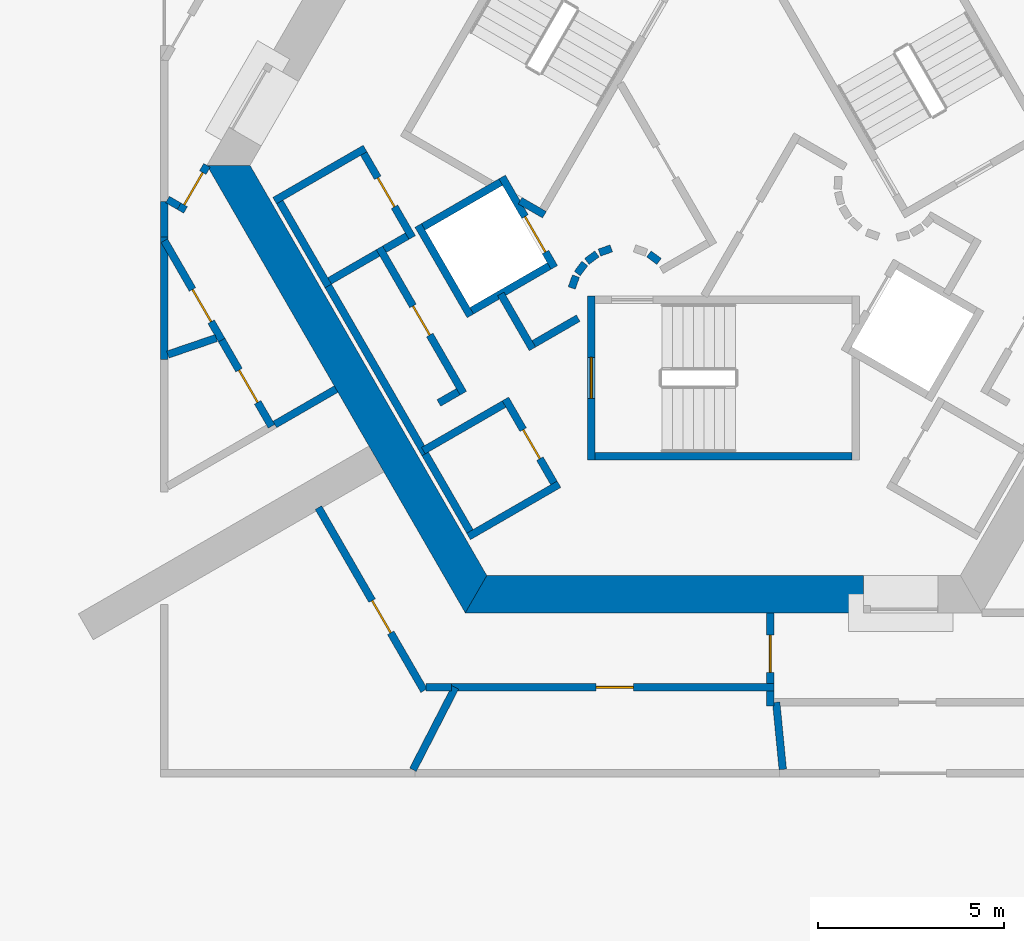
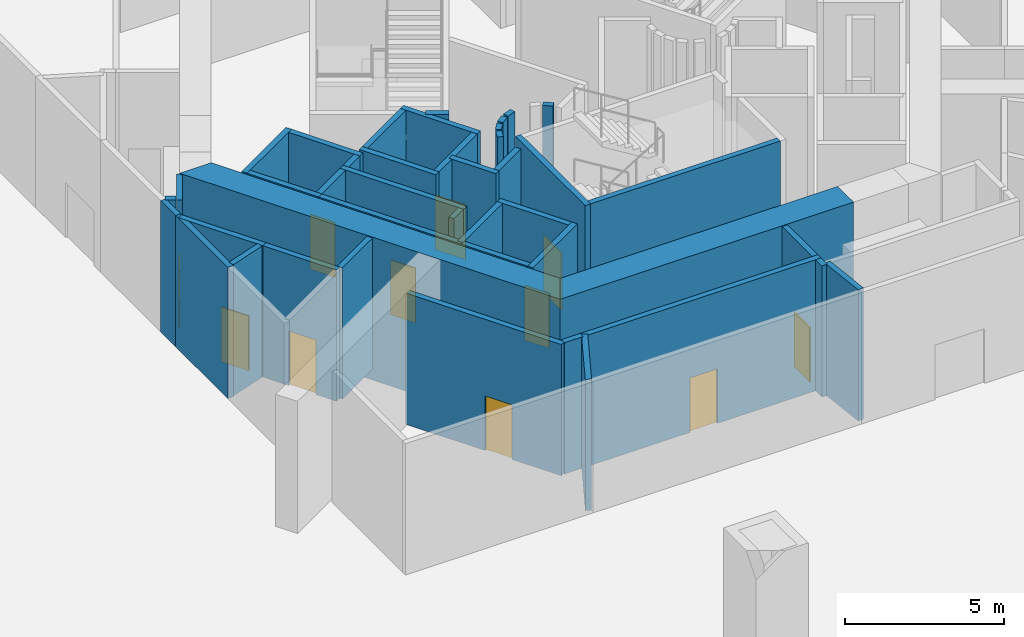
# One storey, part 3 of 12: 43 walls, 11 doors, 11 openings.
"""IFC4 building model written with IfcOpenShell, lengths in metres."""

from ifc_helpers import new_model, si_unit, direction, frame, frame_2d, origin, place, context, subcontext, project, spatial, polyline, rectangle, outline, extrude, material, layer, layer_set, type_object, element, fill, save


model = new_model("IFC4")

# Units and contexts
model_context = context("Model", 3, precision=1e-05, world=origin(), true_north=direction((0.0, 1.0)))
body_context = subcontext(model_context, "Body", "Model", "MODEL_VIEW")
ifc_project = project(units=[si_unit("LENGTHUNIT", "METRE"), si_unit("AREAUNIT", "SQUARE_METRE"), si_unit("VOLUMEUNIT", "CUBIC_METRE"), si_unit("PLANEANGLEUNIT", "RADIAN"), si_unit("MASSUNIT", "GRAM", prefix="KILO")], contexts=[model_context])

# Site, building, storey
site_placement = place(None, origin())
site = spatial("IfcSite", under=ifc_project, at=site_placement, CompositionType="ELEMENT")
building_placement = place(site_placement, origin())
building = spatial("IfcBuilding", under=site, at=building_placement, Name="Entoto Arch Interchange Tower", CompositionType="ELEMENT")
storey_placement = place(building_placement, frame((0.0, 0.0, -11.0)))
storey = spatial("IfcBuildingStorey", under=building, at=storey_placement, Name="B2", CompositionType="ELEMENT", Elevation=-11.0)

# Walls
ifc_material_1 = material(Name="Concrete C60/75", Category="concrete")
ifc_layer_1 = layer(ifc_material_1, 1.0)
ifc_layer_set_1 = layer_set([ifc_layer_1], Name="Concrete C60/75")
wall_type_1 = type_object("IfcWallType", Name="Core wall 1000 C60/75", PredefinedType="SHEAR", material=ifc_layer_set_1)
wall_1_placement = place(storey_placement, frame((0.0, 0.0, -0.419921875)))
element("IfcWall", 1, at=wall_1_placement, inside=storey, type_object=wall_type_1, Name="Core wall SW B2", PredefinedType="SHEAR", context=body_context, shape_type="SweptSolid", body=[
    extrude(outline(polyline([(-13.85595703125, 2.5), (-6.927978515625, -9.5), (-6.35107421875, -8.5), (-12.701904296875, 2.5), (-13.85595703125, 2.5)])), origin(), (0.0, 0.0, 1.0), 5.5),
])
wall_2_placement = place(storey_placement, frame((0.0, 0.0, -0.419921875)))
element("IfcWall", 2, at=wall_2_placement, inside=storey, type_object=wall_type_1, Name="Core wall S B2", PredefinedType="SHEAR", context=body_context, shape_type="SweptSolid", body=[
    extrude(outline(polyline([(3.75, -9.5), (3.75, -8.5), (-6.35107421875, -8.5), (-6.927978515625, -9.5), (3.75, -9.5)])), origin(), (0.0, 0.0, 1.0), 5.5),
])

# Wall, opening, door
ifc_material_2 = material(Name="Concrete C40/50", Category="concrete")
ifc_layer_2 = layer(ifc_material_2, 0.199951171875)
ifc_layer_set_2 = layer_set([ifc_layer_2], Name="Concrete C40/50")
wall_type_2 = type_object("IfcWallType", Name="LIFT SHAFT WALL 200", PredefinedType="STANDARD", material=ifc_layer_set_2)
wall_3_placement = place(storey_placement, frame((-5.93994140625, 2.18798828125, 0.0), z_axis=(0.0, 0.0, 1.0), x_axis=(0.49994636267, -0.866056369097, 0.0)))
wall_3 = element("IfcWall", 3, at=wall_3_placement, inside=storey, type_object=wall_type_2, Name="Shaft wall SW1 front", PredefinedType="STANDARD", context=body_context, shape_type="SweptSolid", body=[
    extrude(rectangle(XDim=2.800048828125, YDim=0.199951171875, at=frame_2d((1.39990234375, 0.0))), origin(), (0.0, 0.0, 1.0), 5.050048828125),
])
opening_1_placement = place(wall_3_placement, frame((1.22509765625, 0.0, 0.0)))
opening_1 = element("IfcOpeningElement", 4, at=opening_1_placement, cuts=wall_3, Name="Opening LD-FF2-B2", PredefinedType="OPENING", context=body_context, shape_type="SweptSolid", body=[
    extrude(rectangle(XDim=1.10009765625, YDim=2.10009765625, at=frame_2d((0.550048828125, 1.050048828125))), frame((0.0, 0.10986328125, 0.0), z_axis=(0.0, -1.0, 0.0), x_axis=(1.0, 0.0, 0.0)), (0.0, 0.0, 1.0), 0.219970703125),
])
ifc_material_3 = material(Name="Stainless steel 1.4301 panels", Category="steel")
door_type_1 = type_object("IfcDoorType", Name="LIFT LANDING DOOR LD1 1100x2100", OperationType="SLIDING_TO_LEFT", PredefinedType="DOOR", material=ifc_material_3)
door_1_placement = place(opening_1_placement, origin())
door_1 = element("IfcDoor", 5, at=door_1_placement, inside=storey, type_object=door_type_1, Name="Lift landing door FF2 B2", OperationType="SLIDING_TO_LEFT", OverallHeight=2.10009765625, OverallWidth=1.10009765625, PredefinedType="DOOR", context=body_context, shape_type="SweptSolid", body=[
    extrude(rectangle(XDim=1.10009765625, YDim=2.10009765625, at=frame_2d((0.550048828125, 1.050048828125))), frame((0.0, 0.02490234375, 0.0), z_axis=(0.0, -1.0, 0.0), x_axis=(1.0, 0.0, 0.0)), (0.0, 0.0, 1.0), 0.050048828125),
])
fill(opening_1, door_1)

# Walls
wall_4_placement = place(storey_placement, frame((-8.19189453125, 0.887939453125, 0.0), z_axis=(0.0, 0.0, 1.0), x_axis=(0.49994636267, -0.866056369097, 0.0)))
element("IfcWall", 6, at=wall_4_placement, inside=storey, type_object=wall_type_2, Name="Shaft wall SW1 back", PredefinedType="STANDARD", context=body_context, shape_type="SweptSolid", body=[
    extrude(rectangle(XDim=2.800048828125, YDim=0.199951171875, at=frame_2d((1.39990234375, 0.0))), origin(), (0.0, 0.0, 1.0), 5.050048828125),
])
for number, where, z_axis, x_axis, name in (
    (7, (-5.97705078125, 2.052001953125, 0.0), (0.0, 0.0, 1.0), (-0.865973769406, -0.500089422704, 0.0), "Shaft wall SW1 cross 1"),
    (8, (-4.677001953125, -0.199951171875, 0.0), (0.0, 0.0, 1.0), (-0.865973769406, -0.500089422704, 0.0), "Shaft wall SW1 cross 2"),
):
    element("IfcWall", number, at=place(storey_placement, frame(where, z_axis=z_axis, x_axis=x_axis)), inside=storey, type_object=wall_type_2, Name=name, PredefinedType="STANDARD", context=body_context, shape_type="SweptSolid", body=[
        extrude(rectangle(XDim=2.3994140625, YDim=0.199951171875, at=frame_2d((1.19970703125, 0.0))), origin(), (0.0, 0.0, 1.0), 5.050048828125),
    ])

# Wall, opening, door
ifc_material_4 = material(Name="Gypsum board partition on steel studs", Category="steel")
ifc_layer_3 = layer(ifc_material_4, 0.199951171875)
ifc_layer_set_3 = layer_set([ifc_layer_3], Name="Gypsum board partition on steel studs")
wall_type_3 = type_object("IfcWallType", Name="PARTITION 200", PredefinedType="PARTITIONING", material=ifc_layer_set_3)
wall_5_placement = place(storey_placement, frame((1.25, -11.39990234375, 0.0), z_axis=(0.0, 0.0, 1.0), x_axis=(0.0, 1.0, 0.0)))
wall_5 = element("IfcWall", 9, at=wall_5_placement, inside=storey, type_object=wall_type_3, Name="wall:B2:p001", PredefinedType="PARTITIONING", context=body_context, shape_type="SweptSolid", body=[
    extrude(rectangle(XDim=1.89990234375, YDim=0.199951171875, at=frame_2d((0.949951171875, 0.0))), origin(), (0.0, 0.0, 1.0), 5.050048828125),
])
opening_2_placement = place(wall_5_placement, frame((0.300048828125, 0.0, 0.0)))
opening_2 = element("IfcOpeningElement", 10, at=opening_2_placement, cuts=wall_5, Name="Opening B2-D01", PredefinedType="OPENING", context=body_context, shape_type="SweptSolid", body=[
    extrude(rectangle(XDim=1.0, YDim=2.10009765625, at=frame_2d((0.5, 1.050048828125))), frame((0.0, 0.10986328125, 0.0), z_axis=(0.0, -1.0, 0.0), x_axis=(1.0, 0.0, 0.0)), (0.0, 0.0, 1.0), 0.219970703125),
])
ifc_material_5 = material(Name="Fire-rated Steel S235 door and frame", Category="steel")
door_type_2 = type_object("IfcDoorType", Name="DOOR FD-10 1000x2100", OperationType="SINGLE_SWING_LEFT", PredefinedType="DOOR", material=ifc_material_5)
door_2_placement = place(opening_2_placement, origin())
door_2 = element("IfcDoor", 11, at=door_2_placement, inside=storey, type_object=door_type_2, Name="door:B2:01", OperationType="SINGLE_SWING_LEFT", OverallHeight=2.10009765625, OverallWidth=1.0, PredefinedType="DOOR", context=body_context, shape_type="SweptSolid", body=[
    extrude(rectangle(XDim=1.0, YDim=2.10009765625, at=frame_2d((0.5, 1.050048828125))), frame((0.0, 0.02490234375, 0.0), z_axis=(0.0, -1.0, 0.0), x_axis=(1.0, 0.0, 0.0)), (0.0, 0.0, 1.0), 0.050048828125),
])
fill(opening_2, door_2)

# Walls
wall_6_placement = place(storey_placement, frame((1.25, -12.0, 0.0), z_axis=(0.0, 0.0, 1.0), x_axis=(0.0, 1.0, 0.0)))
element("IfcWall", 12, at=wall_6_placement, inside=storey, type_object=wall_type_3, Name="wall:B2:p006", PredefinedType="PARTITIONING", context=body_context, shape_type="SweptSolid", body=[
    extrude(rectangle(XDim=0.39990234375, YDim=0.199951171875, at=frame_2d((0.199951171875, 0.0))), origin(), (0.0, 0.0, 1.0), 5.050048828125),
])
wall_7_placement = place(storey_placement, frame((-7.2958984375, -11.5, 0.0), z_axis=(0.0, 0.0, 1.0), x_axis=(-1.0, 0.0, 0.0)))
element("IfcWall", 13, at=wall_7_placement, inside=storey, type_object=wall_type_3, Name="wall:B2:p007", PredefinedType="PARTITIONING", context=body_context, shape_type="SweptSolid", body=[
    extrude(rectangle(XDim=0.68701171875, YDim=0.199951171875, at=frame_2d((0.343505859375, 0.0))), origin(), (0.0, 0.0, 1.0), 5.050048828125),
])

# Wall, opening, door
wall_8_placement = place(storey_placement, frame((-8.032958984375, -11.5869140625, 0.0), z_axis=(0.0, 0.0, 1.0), x_axis=(-0.499974742752, 0.866039985572, 0.0)))
wall_8 = element("IfcWall", 14, at=wall_8_placement, inside=storey, type_object=wall_type_3, Name="wall:B2:p008", PredefinedType="PARTITIONING", context=body_context, shape_type="SweptSolid", body=[
    extrude(rectangle(XDim=5.668212890625, YDim=0.199951171875, at=frame_2d((2.833984375, 0.0))), origin(), (0.0, 0.0, 1.0), 5.050048828125),
])
opening_3_placement = place(wall_8_placement, frame((1.7880859375, 0.0, 0.0)))
opening_3 = element("IfcOpeningElement", 15, at=opening_3_placement, cuts=wall_8, Name="Opening B2-D04", PredefinedType="OPENING", context=body_context, shape_type="SweptSolid", body=[
    extrude(rectangle(XDim=1.0, YDim=2.10009765625, at=frame_2d((0.5, 1.050048828125))), frame((0.0, 0.10986328125, 0.0), z_axis=(0.0, -1.0, 0.0), x_axis=(1.0, 0.0, 0.0)), (0.0, 0.0, 1.0), 0.219970703125),
])
door_3_placement = place(opening_3_placement, origin())
door_3 = element("IfcDoor", 16, at=door_3_placement, inside=storey, type_object=door_type_2, Name="door:B2:04", OperationType="SINGLE_SWING_RIGHT", OverallHeight=2.10009765625, OverallWidth=1.0, PredefinedType="DOOR", context=body_context, shape_type="SweptSolid", body=[
    extrude(rectangle(XDim=1.0, YDim=2.10009765625, at=frame_2d((0.5, 1.050048828125))), frame((0.0, 0.02490234375, 0.0), z_axis=(0.0, -1.0, 0.0), x_axis=(1.0, 0.0, 0.0)), (0.0, 0.0, 1.0), 0.050048828125),
])
fill(opening_3, door_3)

wall_9_placement = place(storey_placement, frame((1.35009765625, -11.5, 0.0), z_axis=(0.0, 0.0, 1.0), x_axis=(-1.0, 0.0, 0.0)))
wall_9 = element("IfcWall", 17, at=wall_9_placement, inside=storey, type_object=wall_type_3, Name="wall:B2:p009", PredefinedType="PARTITIONING", context=body_context, shape_type="SweptSolid", body=[
    extrude(rectangle(XDim=8.64599609375, YDim=0.199951171875, at=frame_2d((4.322998046875, 0.0))), origin(), (0.0, 0.0, 1.0), 5.050048828125),
])
opening_4_placement = place(wall_9_placement, frame((3.76806640625, 0.0, 0.0)))
opening_4 = element("IfcOpeningElement", 18, at=opening_4_placement, cuts=wall_9, Name="Opening B2-D05", PredefinedType="OPENING", context=body_context, shape_type="SweptSolid", body=[
    extrude(rectangle(XDim=1.0, YDim=2.10009765625, at=frame_2d((0.5, 1.050048828125))), frame((0.0, 0.10986328125, 0.0), z_axis=(0.0, -1.0, 0.0), x_axis=(1.0, 0.0, 0.0)), (0.0, 0.0, 1.0), 0.219970703125),
])
door_4_placement = place(opening_4_placement, origin())
door_4 = element("IfcDoor", 19, at=door_4_placement, inside=storey, type_object=door_type_2, Name="door:B2:05", OperationType="SINGLE_SWING_LEFT", OverallHeight=2.10009765625, OverallWidth=1.0, PredefinedType="DOOR", context=body_context, shape_type="SweptSolid", body=[
    extrude(rectangle(XDim=1.0, YDim=2.10009765625, at=frame_2d((0.5, 1.050048828125))), frame((0.0, 0.02490234375, 0.0), z_axis=(0.0, -1.0, 0.0), x_axis=(1.0, 0.0, 0.0)), (0.0, 0.0, 1.0), 0.050048828125),
])
fill(opening_4, door_4)

# Walls
wall_10_placement = place(storey_placement, frame((1.5869140625, -13.699951171875, 0.0), z_axis=(0.0, 0.0, 1.0), x_axis=(-0.097324991698, 0.99525265435, 0.0)))
element("IfcWall", 20, at=wall_10_placement, inside=storey, type_object=wall_type_3, Name="wall:B2:p014", PredefinedType="PARTITIONING", context=body_context, shape_type="SweptSolid", body=[
    extrude(rectangle(XDim=1.80859375, YDim=0.199951171875, at=frame_2d((0.904296875, 0.0))), origin(), (0.0, 0.0, 1.0), 5.050048828125),
])
wall_11_placement = place(storey_placement, frame((-7.196044921875, -11.5, 0.0), z_axis=(0.0, 0.0, 1.0), x_axis=(-0.457008432814, -0.889462361394, 0.0)))
element("IfcWall", 21, at=wall_11_placement, inside=storey, type_object=wall_type_3, Name="wall:B2:p017", PredefinedType="PARTITIONING", context=body_context, shape_type="SweptSolid", body=[
    extrude(rectangle(XDim=2.485595703125, YDim=0.199951171875, at=frame_2d((1.24267578125, 0.0))), origin(), (0.0, 0.0, 1.0), 5.050048828125),
])

# Wall, opening, door
wall_12_placement = place(storey_placement, frame((-13.85595703125, 2.5, 0.0), z_axis=(0.0, 0.0, 1.0), x_axis=(-0.499831418649, -0.866122712398, 0.0)))
wall_12 = element("IfcWall", 22, at=wall_12_placement, inside=storey, type_object=wall_type_3, Name="wall:B2:p050", PredefinedType="PARTITIONING", context=body_context, shape_type="SweptSolid", body=[
    extrude(rectangle(XDim=1.42236328125, YDim=0.199951171875, at=frame_2d((0.711181640625, 0.0))), origin(), (0.0, 0.0, 1.0), 5.050048828125),
])
opening_5_placement = place(wall_12_placement, frame((0.22412109375, 0.0, 0.0)))
opening_5 = element("IfcOpeningElement", 23, at=opening_5_placement, cuts=wall_12, Name="Opening B2-D14", PredefinedType="OPENING", context=body_context, shape_type="SweptSolid", body=[
    extrude(rectangle(XDim=1.0, YDim=2.10009765625, at=frame_2d((0.5, 1.050048828125))), frame((0.0, 0.10986328125, 0.0), z_axis=(0.0, -1.0, 0.0), x_axis=(1.0, 0.0, 0.0)), (0.0, 0.0, 1.0), 0.219970703125),
])
door_5_placement = place(opening_5_placement, origin())
door_5 = element("IfcDoor", 24, at=door_5_placement, inside=storey, type_object=door_type_2, Name="door:B2:14", OperationType="SINGLE_SWING_RIGHT", OverallHeight=2.10009765625, OverallWidth=1.0, PredefinedType="DOOR", context=body_context, shape_type="SweptSolid", body=[
    extrude(rectangle(XDim=1.0, YDim=2.10009765625, at=frame_2d((0.5, 1.050048828125))), frame((0.0, 0.02490234375, 0.0), z_axis=(0.0, -1.0, 0.0), x_axis=(1.0, 0.0, 0.0)), (0.0, 0.0, 1.0), 0.050048828125),
])
fill(opening_5, door_5)

# Walls
wall_13_placement = place(storey_placement, frame((-14.60400390625, 1.405029296875, 0.0), z_axis=(0.0, 0.0, 1.0), x_axis=(-0.865410684717, 0.501063216349, 0.0)))
element("IfcWall", 25, at=wall_13_placement, inside=storey, type_object=wall_type_3, Name="wall:B2:p051", PredefinedType="PARTITIONING", context=body_context, shape_type="SweptSolid", body=[
    extrude(rectangle(XDim=0.357177734375, YDim=0.199951171875, at=frame_2d((0.1787109375, 0.0))), origin(), (0.0, 0.0, 1.0), 5.050048828125),
])
wall_14_placement = place(storey_placement, frame((-10.39208984375, -3.5, 0.0), z_axis=(0.0, 0.0, 1.0), x_axis=(-0.865980106173, -0.500078449558, 0.0)))
element("IfcWall", 26, at=wall_14_placement, inside=storey, type_object=wall_type_3, Name="wall:B2:p057", PredefinedType="PARTITIONING", context=body_context, shape_type="SweptSolid", body=[
    extrude(rectangle(XDim=1.899658203125, YDim=0.199951171875, at=frame_2d((0.94970703125, 0.0))), origin(), (0.0, 0.0, 1.0), 5.050048828125),
])
wall_15_placement = place(storey_placement, frame((-15.0, 0.5810546875, 0.0), z_axis=(0.0, 0.0, 1.0), x_axis=(0.0, 1.0, 0.0)))
element("IfcWall", 27, at=wall_15_placement, inside=storey, type_object=wall_type_3, Name="wall:B2:p058", PredefinedType="PARTITIONING", context=body_context, shape_type="SweptSolid", body=[
    extrude(rectangle(XDim=0.952880859375, YDim=0.199951171875, at=frame_2d((0.4765625, 0.0))), origin(), (0.0, 0.0, 1.0), 5.050048828125),
])

# Wall, opening, door
wall_16_placement = place(storey_placement, frame((-13.4599609375, -2.18603515625, 0.0), z_axis=(0.0, 0.0, 1.0), x_axis=(-0.500060979923, 0.865990194147, 0.0)))
wall_16 = element("IfcWall", 28, at=wall_16_placement, inside=storey, type_object=wall_type_3, Name="wall:B2:p059", PredefinedType="PARTITIONING", context=body_context, shape_type="SweptSolid", body=[
    extrude(rectangle(XDim=3.07958984375, YDim=0.199951171875, at=frame_2d((1.539794921875, 0.0))), origin(), (0.0, 0.0, 1.0), 5.050048828125),
])
opening_6_placement = place(wall_16_placement, frame((0.569091796875, 0.0, 0.0)))
opening_6 = element("IfcOpeningElement", 29, at=opening_6_placement, cuts=wall_16, Name="Opening B2-D17", PredefinedType="OPENING", context=body_context, shape_type="SweptSolid", body=[
    extrude(rectangle(XDim=1.0, YDim=2.10009765625, at=frame_2d((0.5, 1.050048828125))), frame((0.0, 0.10986328125, 0.0), z_axis=(0.0, -1.0, 0.0), x_axis=(1.0, 0.0, 0.0)), (0.0, 0.0, 1.0), 0.219970703125),
])
door_6_placement = place(opening_6_placement, origin())
door_6 = element("IfcDoor", 30, at=door_6_placement, inside=storey, type_object=door_type_2, Name="door:B2:17", OperationType="SINGLE_SWING_LEFT", OverallHeight=2.10009765625, OverallWidth=1.0, PredefinedType="DOOR", context=body_context, shape_type="SweptSolid", body=[
    extrude(rectangle(XDim=1.0, YDim=2.10009765625, at=frame_2d((0.5, 1.050048828125))), frame((0.0, 0.02490234375, 0.0), z_axis=(0.0, -1.0, 0.0), x_axis=(1.0, 0.0, 0.0)), (0.0, 0.0, 1.0), 0.050048828125),
])
fill(opening_6, door_6)

wall_17_placement = place(storey_placement, frame((-12.1240234375, -4.5, 0.0), z_axis=(0.0, 0.0, 1.0), x_axis=(-0.499991375441, 0.866030383119, 0.0)))
wall_17 = element("IfcWall", 31, at=wall_17_placement, inside=storey, type_object=wall_type_3, Name="wall:B2:p060", PredefinedType="PARTITIONING", context=body_context, shape_type="SweptSolid", body=[
    extrude(rectangle(XDim=2.671875, YDim=0.199951171875, at=frame_2d((1.3359375, 0.0))), origin(), (0.0, 0.0, 1.0), 5.050048828125),
])
opening_7_placement = place(wall_17_placement, frame((0.742919921875, 0.0, 0.0)))
opening_7 = element("IfcOpeningElement", 32, at=opening_7_placement, cuts=wall_17, Name="Opening B2-D18", PredefinedType="OPENING", context=body_context, shape_type="SweptSolid", body=[
    extrude(rectangle(XDim=1.0, YDim=2.10009765625, at=frame_2d((0.5, 1.050048828125))), frame((0.0, 0.10986328125, 0.0), z_axis=(0.0, -1.0, 0.0), x_axis=(1.0, 0.0, 0.0)), (0.0, 0.0, 1.0), 0.219970703125),
])
door_7_placement = place(opening_7_placement, origin())
door_7 = element("IfcDoor", 33, at=door_7_placement, inside=storey, type_object=door_type_2, Name="door:B2:18", OperationType="SINGLE_SWING_RIGHT", OverallHeight=2.10009765625, OverallWidth=1.0, PredefinedType="DOOR", context=body_context, shape_type="SweptSolid", body=[
    extrude(rectangle(XDim=1.0, YDim=2.10009765625, at=frame_2d((0.5, 1.050048828125))), frame((0.0, 0.02490234375, 0.0), z_axis=(0.0, -1.0, 0.0), x_axis=(1.0, 0.0, 0.0)), (0.0, 0.0, 1.0), 0.050048828125),
])
fill(opening_7, door_7)

# Walls
wall_18_placement = place(storey_placement, frame((-15.0, -2.7060546875, 0.0), z_axis=(0.0, 0.0, 1.0), x_axis=(0.0, 1.0, 0.0)))
element("IfcWall", 34, at=wall_18_placement, inside=storey, type_object=wall_type_3, Name="wall:B2:p065", PredefinedType="PARTITIONING", context=body_context, shape_type="SweptSolid", body=[
    extrude(rectangle(XDim=3.287109375, YDim=0.199951171875, at=frame_2d((1.6435546875, 0.0))), origin(), (0.0, 0.0, 1.0), 5.050048828125),
])
wall_19_placement = place(storey_placement, frame((-13.60498046875, -2.131103515625, 0.0), z_axis=(0.0, 0.0, 1.0), x_axis=(-0.946582963452, -0.32246037478, 0.0)))
element("IfcWall", 35, at=wall_19_placement, inside=storey, type_object=wall_type_3, Name="wall:B2:p068", PredefinedType="PARTITIONING", context=body_context, shape_type="SweptSolid", body=[
    extrude(rectangle(XDim=1.373291015625, YDim=0.199951171875, at=frame_2d((0.6865234375, 0.0))), origin(), (0.0, 0.0, 1.0), 5.050048828125),
])
wall_20_placement = place(storey_placement, frame((-9.26708984375, 0.152099609375, 0.0), z_axis=(0.0, 0.0, 1.0), x_axis=(-0.86599040064, -0.500060622324, 0.0)))
element("IfcWall", 36, at=wall_20_placement, inside=storey, type_object=wall_type_3, Name="wall:B2:p089", PredefinedType="PARTITIONING", context=body_context, shape_type="SweptSolid", body=[
    extrude(rectangle(XDim=1.499755859375, YDim=0.199951171875, at=frame_2d((0.75, 0.0))), origin(), (0.0, 0.0, 1.0), 5.050048828125),
])
wall_21_placement = place(storey_placement, frame((-12.0400390625, 1.552978515625, 0.0), z_axis=(0.0, 0.0, 1.0), x_axis=(0.866056369097, 0.49994636267, 0.0)))
element("IfcWall", 37, at=wall_21_placement, inside=storey, type_object=wall_type_3, Name="wall:B2:p090", PredefinedType="PARTITIONING", context=body_context, shape_type="SweptSolid", body=[
    extrude(rectangle(XDim=2.800048828125, YDim=0.199951171875, at=frame_2d((1.39990234375, 0.0))), origin(), (0.0, 0.0, 1.0), 5.050048828125),
])

# Wall, opening, door
wall_22_placement = place(storey_placement, frame((-9.65087890625, 2.81689453125, 0.0), z_axis=(0.0, 0.0, 1.0), x_axis=(0.49989585183, -0.866085525409, 0.0)))
wall_22 = element("IfcWall", 38, at=wall_22_placement, inside=storey, type_object=wall_type_3, Name="wall:B2:p091", PredefinedType="PARTITIONING", context=body_context, shape_type="SweptSolid", body=[
    extrude(rectangle(XDim=2.60009765625, YDim=0.199951171875, at=frame_2d((1.300048828125, 0.0))), origin(), (0.0, 0.0, 1.0), 5.050048828125),
])
opening_8_placement = place(wall_22_placement, frame((0.75, 0.0, 0.0)))
opening_8 = element("IfcOpeningElement", 39, at=opening_8_placement, cuts=wall_22, Name="Opening B2-D30", PredefinedType="OPENING", context=body_context, shape_type="SweptSolid", body=[
    extrude(rectangle(XDim=0.89990234375, YDim=2.10009765625, at=frame_2d((0.449951171875, 1.050048828125))), frame((0.0, 0.10986328125, 0.0), z_axis=(0.0, -1.0, 0.0), x_axis=(1.0, 0.0, 0.0)), (0.0, 0.0, 1.0), 0.219970703125),
])
ifc_material_6 = material(Name="Timber door leaf in Steel S235 frame", Category="steel")
door_type_3 = type_object("IfcDoorType", Name="DOOR DS-09 900x2100", OperationType="SINGLE_SWING_LEFT", PredefinedType="DOOR", material=ifc_material_6)
door_8_placement = place(opening_8_placement, origin())
door_8 = element("IfcDoor", 40, at=door_8_placement, inside=storey, type_object=door_type_3, Name="door:B2:30", OperationType="SINGLE_SWING_RIGHT", OverallHeight=2.10009765625, OverallWidth=0.89990234375, PredefinedType="DOOR", context=body_context, shape_type="SweptSolid", body=[
    extrude(rectangle(XDim=0.89990234375, YDim=2.10009765625, at=frame_2d((0.449951171875, 1.050048828125))), frame((0.0, 0.02490234375, 0.0), z_axis=(0.0, -1.0, 0.0), x_axis=(1.0, 0.0, 0.0)), (0.0, 0.0, 1.0), 0.050048828125),
])
fill(opening_8, door_8)

# Walls
wall_23_placement = place(storey_placement, frame((-8.488037109375, 0.60205078125, 0.0), z_axis=(0.0, 0.0, 1.0), x_axis=(-0.865871789474, -0.500265973451, 0.0)))
element("IfcWall", 41, at=wall_23_placement, inside=storey, type_object=wall_type_3, Name="wall:B2:p092", PredefinedType="PARTITIONING", context=body_context, shape_type="SweptSolid", body=[
    extrude(rectangle(XDim=0.69970703125, YDim=0.199951171875, at=frame_2d((0.349853515625, 0.0))), origin(), (0.0, 0.0, 1.0), 5.050048828125),
])
wall_24_placement = place(storey_placement, frame((-10.60302734375, -0.735107421875, 0.0), z_axis=(0.0, 0.0, 1.0), x_axis=(-0.499925626596, 0.866068339032, 0.0)))
element("IfcWall", 42, at=wall_24_placement, inside=storey, type_object=wall_type_3, Name="wall:B2:p093", PredefinedType="PARTITIONING", context=body_context, shape_type="SweptSolid", body=[
    extrude(rectangle(XDim=2.6005859375, YDim=0.199951171875, at=frame_2d((1.30029296875, 0.0))), origin(), (0.0, 0.0, 1.0), 5.050048828125),
])

# Wall, opening, door
wall_25_placement = place(storey_placement, frame((-9.23095703125, 0.2880859375, 0.0), z_axis=(0.0, 0.0, 1.0), x_axis=(0.500013631625, -0.866017533419, 0.0)))
wall_25 = element("IfcWall", 43, at=wall_25_placement, inside=storey, type_object=wall_type_3, Name="wall:B2:p094", PredefinedType="PARTITIONING", context=body_context, shape_type="SweptSolid", body=[
    extrude(rectangle(XDim=4.499755859375, YDim=0.199951171875, at=frame_2d((2.25, 0.0))), origin(), (0.0, 0.0, 1.0), 5.050048828125),
])
opening_9_placement = place(wall_25_placement, frame((1.800048828125, 0.0, 0.0)))
opening_9 = element("IfcOpeningElement", 44, at=opening_9_placement, cuts=wall_25, Name="Opening B2-D31", PredefinedType="OPENING", context=body_context, shape_type="SweptSolid", body=[
    extrude(rectangle(XDim=0.89990234375, YDim=2.10009765625, at=frame_2d((0.449951171875, 1.050048828125))), frame((0.0, 0.10986328125, 0.0), z_axis=(0.0, -1.0, 0.0), x_axis=(1.0, 0.0, 0.0)), (0.0, 0.0, 1.0), 0.219970703125),
])
door_9_placement = place(opening_9_placement, origin())
door_9 = element("IfcDoor", 45, at=door_9_placement, inside=storey, type_object=door_type_3, Name="door:B2:31", OperationType="SINGLE_SWING_LEFT", OverallHeight=2.10009765625, OverallWidth=0.89990234375, PredefinedType="DOOR", context=body_context, shape_type="SweptSolid", body=[
    extrude(rectangle(XDim=0.89990234375, YDim=2.10009765625, at=frame_2d((0.449951171875, 1.050048828125))), frame((0.0, 0.02490234375, 0.0), z_axis=(0.0, -1.0, 0.0), x_axis=(1.0, 0.0, 0.0)), (0.0, 0.0, 1.0), 0.050048828125),
])
fill(opening_9, door_9)

# Walls
wall_26_placement = place(storey_placement, frame((-7.116943359375, -3.572021484375, 0.0), z_axis=(0.0, 0.0, 1.0), x_axis=(-0.866158505053, -0.499769390944, 0.0)))
element("IfcWall", 46, at=wall_26_placement, inside=storey, type_object=wall_type_3, Name="wall:B2:p095", PredefinedType="PARTITIONING", context=body_context, shape_type="SweptSolid", body=[
    extrude(rectangle(XDim=0.600341796875, YDim=0.199951171875, at=frame_2d((0.30029296875, 0.0))), origin(), (0.0, 0.0, 1.0), 5.050048828125),
])
wall_27_placement = place(storey_placement, frame((-8.0029296875, -5.238037109375, 0.0), z_axis=(0.0, 0.0, 1.0), x_axis=(-0.500047596559, 0.865997922154, 0.0)))
element("IfcWall", 47, at=wall_27_placement, inside=storey, type_object=wall_type_3, Name="wall:B2:p096", PredefinedType="PARTITIONING", context=body_context, shape_type="SweptSolid", body=[
    extrude(rectangle(XDim=5.19970703125, YDim=0.199951171875, at=frame_2d((2.599853515625, 0.0))), origin(), (0.0, 0.0, 1.0), 5.050048828125),
])
wall_28_placement = place(storey_placement, frame((-6.802978515625, -7.31689453125, 0.0), z_axis=(0.0, 0.0, 1.0), x_axis=(-0.499913221443, 0.866075499611, 0.0)))
element("IfcWall", 48, at=wall_28_placement, inside=storey, type_object=wall_type_3, Name="wall:B2:p097", PredefinedType="PARTITIONING", context=body_context, shape_type="SweptSolid", body=[
    extrude(rectangle(XDim=2.400390625, YDim=0.199951171875, at=frame_2d((1.2001953125, 0.0))), origin(), (0.0, 0.0, 1.0), 5.050048828125),
])
wall_29_placement = place(storey_placement, frame((-8.052978515625, -5.15087890625, 0.0), z_axis=(0.0, 0.0, 1.0), x_axis=(0.866234368172, 0.499637888272, 0.0)))
element("IfcWall", 49, at=wall_29_placement, inside=storey, type_object=wall_type_3, Name="wall:B2:p098", PredefinedType="PARTITIONING", context=body_context, shape_type="SweptSolid", body=[
    extrude(rectangle(XDim=2.499267578125, YDim=0.199951171875, at=frame_2d((1.24951171875, 0.0))), origin(), (0.0, 0.0, 1.0), 5.050048828125),
])

# Wall, opening, door
wall_30_placement = place(storey_placement, frame((-5.85107421875, -3.764892578125, 0.0), z_axis=(0.0, 0.0, 1.0), x_axis=(0.499925626596, -0.866068339032, 0.0)))
wall_30 = element("IfcWall", 50, at=wall_30_placement, inside=storey, type_object=wall_type_3, Name="wall:B2:p099", PredefinedType="PARTITIONING", context=body_context, shape_type="SweptSolid", body=[
    extrude(rectangle(XDim=2.6005859375, YDim=0.199951171875, at=frame_2d((1.30029296875, 0.0))), origin(), (0.0, 0.0, 1.0), 5.050048828125),
])
opening_10_placement = place(wall_30_placement, frame((0.949951171875, 0.0, 0.0)))
opening_10 = element("IfcOpeningElement", 51, at=opening_10_placement, cuts=wall_30, Name="Opening B2-D32", PredefinedType="OPENING", context=body_context, shape_type="SweptSolid", body=[
    extrude(rectangle(XDim=0.89990234375, YDim=2.10009765625, at=frame_2d((0.449951171875, 1.050048828125))), frame((0.0, 0.10986328125, 0.0), z_axis=(0.0, -1.0, 0.0), x_axis=(1.0, 0.0, 0.0)), (0.0, 0.0, 1.0), 0.219970703125),
])
door_10_placement = place(opening_10_placement, origin())
door_10 = element("IfcDoor", 52, at=door_10_placement, inside=storey, type_object=door_type_3, Name="door:B2:32", OperationType="SINGLE_SWING_LEFT", OverallHeight=2.10009765625, OverallWidth=0.89990234375, PredefinedType="DOOR", context=body_context, shape_type="SweptSolid", body=[
    extrude(rectangle(XDim=0.89990234375, YDim=2.10009765625, at=frame_2d((0.449951171875, 1.050048828125))), frame((0.0, 0.02490234375, 0.0), z_axis=(0.0, -1.0, 0.0), x_axis=(1.0, 0.0, 0.0)), (0.0, 0.0, 1.0), 0.050048828125),
])
fill(opening_10, door_10)

# Walls
wall_31_placement = place(storey_placement, frame((-4.4150390625, -6.052978515625, 0.0), z_axis=(0.0, 0.0, 1.0), x_axis=(-0.866056369097, -0.49994636267, 0.0)))
element("IfcWall", 53, at=wall_31_placement, inside=storey, type_object=wall_type_3, Name="wall:B2:p100", PredefinedType="PARTITIONING", context=body_context, shape_type="SweptSolid", body=[
    extrude(rectangle(XDim=2.800048828125, YDim=0.199951171875, at=frame_2d((1.39990234375, 0.0))), origin(), (0.0, 0.0, 1.0), 5.050048828125),
])
wall_32_placement = place(storey_placement, frame((-1.73095703125, -0.076904296875, 0.0), z_axis=(0.0, 0.0, 1.0), x_axis=(-0.804311165252, 0.594208338422, 0.0)))
element("IfcWall", 54, at=wall_32_placement, inside=storey, type_object=wall_type_3, Name="wall:B2:p114", PredefinedType="PARTITIONING", context=body_context, shape_type="SweptSolid", body=[
    extrude(rectangle(XDim=0.338134765625, YDim=0.199951171875, at=frame_2d((0.1689453125, 0.0))), origin(), (0.0, 0.0, 1.0), 5.050048828125),
])
wall_33_placement = place(storey_placement, frame((-3.011962890625, 0.27294921875, 0.0), z_axis=(0.0, 0.0, 1.0), x_axis=(-0.942280615813, -0.334824194261, 0.0)))
element("IfcWall", 55, at=wall_33_placement, inside=storey, type_object=wall_type_3, Name="wall:B2:p116", PredefinedType="PARTITIONING", context=body_context, shape_type="SweptSolid", body=[
    extrude(rectangle(XDim=0.337646484375, YDim=0.199951171875, at=frame_2d((0.1689453125, 0.0))), origin(), (0.0, 0.0, 1.0), 5.050048828125),
])
wall_34_placement = place(storey_placement, frame((-3.39697265625, 0.1240234375, 0.0), z_axis=(0.0, 0.0, 1.0), x_axis=(-0.804311165252, -0.594208338422, 0.0)))
element("IfcWall", 56, at=wall_34_placement, inside=storey, type_object=wall_type_3, Name="wall:B2:p117", PredefinedType="PARTITIONING", context=body_context, shape_type="SweptSolid", body=[
    extrude(rectangle(XDim=0.338134765625, YDim=0.199951171875, at=frame_2d((0.1689453125, 0.0))), origin(), (0.0, 0.0, 1.0), 5.050048828125),
])
wall_35_placement = place(storey_placement, frame((-3.722900390625, -0.131103515625, 0.0), z_axis=(0.0, 0.0, 1.0), x_axis=(-0.594675113454, -0.803966112121, 0.0)))
element("IfcWall", 57, at=wall_35_placement, inside=storey, type_object=wall_type_3, Name="wall:B2:p118", PredefinedType="PARTITIONING", context=body_context, shape_type="SweptSolid", body=[
    extrude(rectangle(XDim=0.33837890625, YDim=0.199951171875, at=frame_2d((0.169189453125, 0.0))), origin(), (0.0, 0.0, 1.0), 5.050048828125),
])
wall_36_placement = place(storey_placement, frame((-3.9599609375, -0.469970703125, 0.0), z_axis=(0.0, 0.0, 1.0), x_axis=(-0.334824194261, -0.942280615813, 0.0)))
element("IfcWall", 58, at=wall_36_placement, inside=storey, type_object=wall_type_3, Name="wall:B2:p119", PredefinedType="PARTITIONING", context=body_context, shape_type="SweptSolid", body=[
    extrude(rectangle(XDim=0.337646484375, YDim=0.199951171875, at=frame_2d((0.1689453125, 0.0))), origin(), (0.0, 0.0, 1.0), 5.050048828125),
])
wall_37_placement = place(storey_placement, frame((-3.89990234375, -1.59912109375, 0.0), z_axis=(0.0, 0.0, 1.0), x_axis=(-0.865969445389, -0.500096910261, 0.0)))
element("IfcWall", 59, at=wall_37_placement, inside=storey, type_object=wall_type_3, Name="wall:B2:p120", PredefinedType="PARTITIONING", context=body_context, shape_type="SweptSolid", body=[
    extrude(rectangle(XDim=1.373291015625, YDim=0.199951171875, at=frame_2d((0.6865234375, 0.0))), origin(), (0.0, 0.0, 1.0), 5.050048828125),
])
wall_38_placement = place(storey_placement, frame((-5.1259765625, -2.422119140625, 0.0), z_axis=(0.0, 0.0, 1.0), x_axis=(-0.500062241894, 0.865989465428, 0.0)))
element("IfcWall", 60, at=wall_38_placement, inside=storey, type_object=wall_type_3, Name="wall:B2:p121", PredefinedType="PARTITIONING", context=body_context, shape_type="SweptSolid", body=[
    extrude(rectangle(XDim=1.699951171875, YDim=0.199951171875, at=frame_2d((0.85009765625, 0.0))), origin(), (0.0, 0.0, 1.0), 5.050048828125),
])

# Wall, opening, door
ifc_layer_4 = layer(ifc_material_2, 0.199951171875)
ifc_layer_set_4 = layer_set([ifc_layer_4], Name="Concrete C40/50")
wall_type_4 = type_object("IfcWallType", Name="STAIR ENCLOSURE WALL 200", PredefinedType="STANDARD", material=ifc_layer_set_4)
wall_39_placement = place(storey_placement, frame((-3.550048828125, -1.0, 0.0), z_axis=(0.0, 0.0, 1.0), x_axis=(0.0, -1.0, 0.0)))
wall_39 = element("IfcWall", 61, at=wall_39_placement, inside=storey, type_object=wall_type_4, Name="Stair wall ST-S near", PredefinedType="STANDARD", context=body_context, shape_type="SweptSolid", body=[
    extrude(rectangle(XDim=4.39990234375, YDim=0.199951171875, at=frame_2d((2.199951171875, 0.0))), origin(), (0.0, 0.0, 1.0), 5.050048828125),
])
opening_11_placement = place(wall_39_placement, frame((1.64990234375, 0.0, 0.0)))
opening_11 = element("IfcOpeningElement", 62, at=opening_11_placement, cuts=wall_39, Name="Opening SD-ST-S-B2-E", PredefinedType="OPENING", context=body_context, shape_type="SweptSolid", body=[
    extrude(rectangle(XDim=1.10009765625, YDim=2.199951171875, at=frame_2d((0.550048828125, 1.10009765625))), frame((0.0, 0.10986328125, 0.0), z_axis=(0.0, -1.0, 0.0), x_axis=(1.0, 0.0, 0.0)), (0.0, 0.0, 1.0), 0.219970703125),
])
ifc_material_7 = material(Name="Steel S235", Category="steel")
door_type_4 = type_object("IfcDoorType", Name="STAIR DOOR SD1 1100x2200", OperationType="SINGLE_SWING_LEFT", PredefinedType="DOOR", material=ifc_material_7)
door_11_placement = place(opening_11_placement, origin())
door_11 = element("IfcDoor", 63, at=door_11_placement, inside=storey, type_object=door_type_4, Name="Stair door ST-S B2 end", OperationType="SINGLE_SWING_LEFT", OverallHeight=2.199951171875, OverallWidth=1.10009765625, PredefinedType="DOOR", context=body_context, shape_type="SweptSolid", body=[
    extrude(rectangle(XDim=1.10009765625, YDim=2.199951171875, at=frame_2d((0.550048828125, 1.10009765625))), frame((0.0, 0.02490234375, 0.0), z_axis=(0.0, -1.0, 0.0), x_axis=(1.0, 0.0, 0.0)), (0.0, 0.0, 1.0), 0.050048828125),
])
fill(opening_11, door_11)

# Walls
wall_40_placement = place(storey_placement, frame((-3.449951171875, -5.300048828125, 0.0), z_axis=(0.0, 0.0, 1.0), x_axis=(1.0, 0.0, 0.0)))
element("IfcWall", 64, at=wall_40_placement, inside=storey, type_object=wall_type_4, Name="Stair wall ST-S back", PredefinedType="STANDARD", context=body_context, shape_type="SweptSolid", body=[
    extrude(rectangle(XDim=6.89990234375, YDim=0.199951171875, at=frame_2d((3.449951171875, 0.0))), origin(), (0.0, 0.0, 1.0), 5.050048828125),
])
wall_41_placement = place(storey_placement, frame((-4.805908203125, 1.176025390625, 0.0), z_axis=(0.0, 0.0, 1.0), x_axis=(-0.866558586415, 0.499075361355, 0.0)))
element("IfcWall", 65, at=wall_41_placement, inside=storey, type_object=wall_type_4, Name="Stair wall ST-NW far return", PredefinedType="STANDARD", context=body_context, shape_type="SweptSolid", body=[
    extrude(rectangle(XDim=0.75146484375, YDim=0.199951171875, at=frame_2d((0.375732421875, 0.0))), origin(), (0.0, 0.0, 1.0), 5.050048828125),
])

save(model, "model.ifc")
